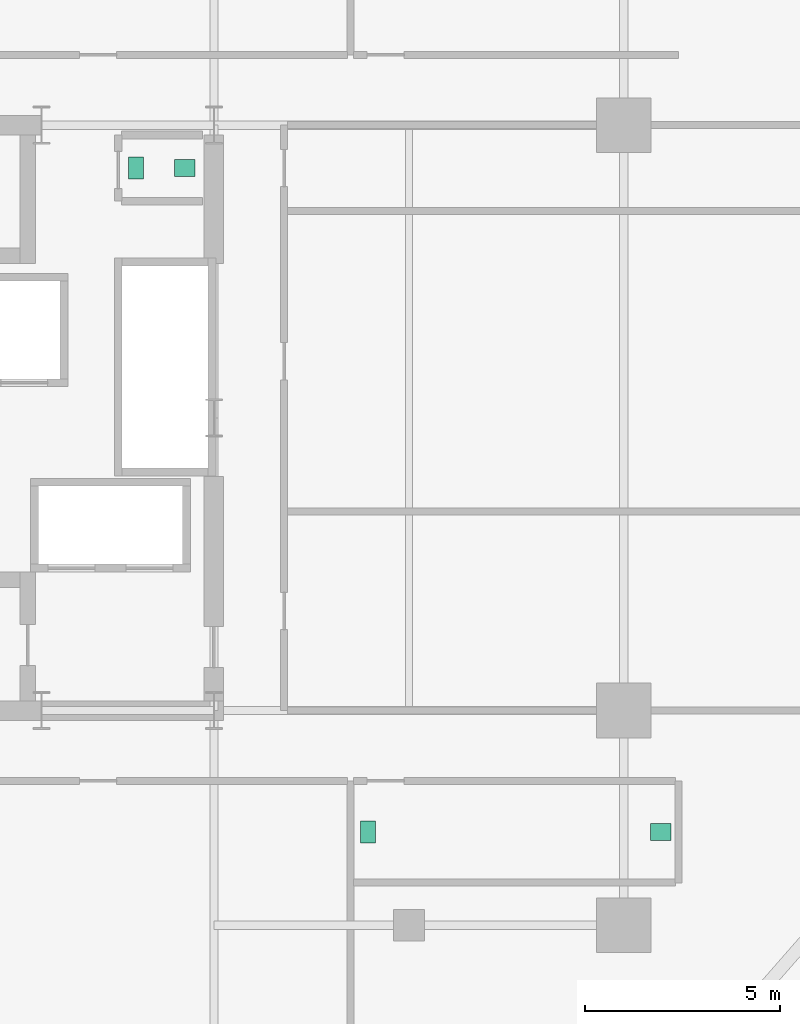
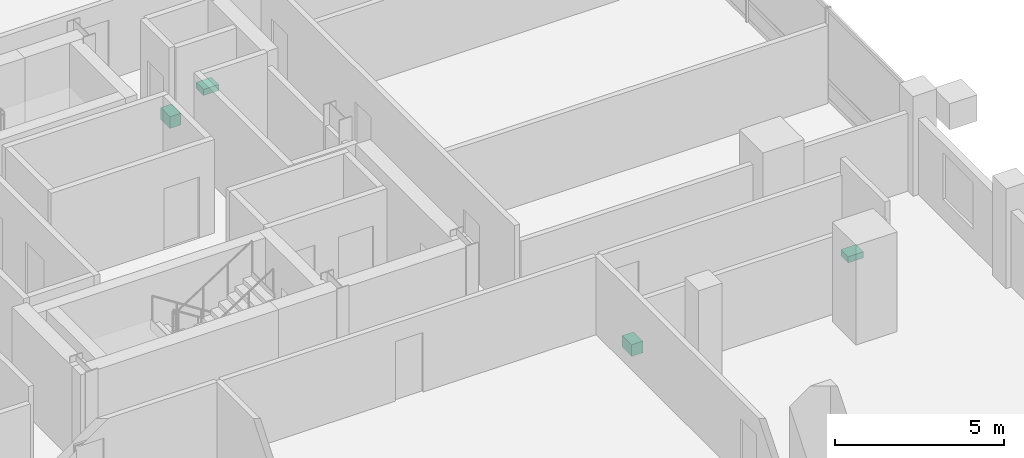
# One storey, part 21 of 21: 4 sanitary terminals.
"""IFC4 building model written with IfcOpenShell, lengths in metres."""

import ifcopenshell
import ifcopenshell.guid

model = None  # the IFC model being written
_history = None  # IfcOwnerHistory: only IFC2X3 demands one
_inside = {}  # id of a spatial element -> (the spatial element, [elements in it])
_under = {}  # id of a project, library or spatial element -> (it, [spatial elements below it])
_declared = {}  # id of a project -> (the project, [libraries it declares])
_typed = {}  # id of a type object -> (the type object, [elements of that type])
_made_of = {}  # id of a material, layer set ... -> (it, [elements and type objects made of it])


def new_model(schema):
    """Start an empty IFC model of exactly this schema.

    Asked for "IFC4X3", IfcOpenShell would pick the latest addendum, in which some entities
    have other attributes; the version numbers below select the first issue.
    IFC2X3 requires an IfcOwnerHistory on every rooted entity: one is made here for all.
    """
    global model, _history
    if schema == "IFC4X3":
        model = ifcopenshell.file(schema_version=(4, 3, 0, 0))
    else:
        model = ifcopenshell.file(schema=schema)
    _inside.clear()
    _under.clear()
    _declared.clear()
    _typed.clear()
    _made_of.clear()
    _history = None
    if model.schema == "IFC2X3":
        org = make("IfcOrganization", Name="unknown")
        user = make(
            "IfcPersonAndOrganization",
            ThePerson=make("IfcPerson", FamilyName="unknown"),
            TheOrganization=org,
        )
        app = make(
            "IfcApplication",
            ApplicationDeveloper=org,
            Version="unknown",
            ApplicationFullName="unknown",
            ApplicationIdentifier="unknown",
        )
        _history = make(
            "IfcOwnerHistory",
            OwningUser=user,
            OwningApplication=app,
            ChangeAction="ADDED",
            CreationDate=0,
        )
    return model


def make(cls, **values):
    """One entity of the class cls with the attributes given. An attribute that is None is left unset."""
    return model.create_entity(
        cls, **{name: value for name, value in values.items() if value is not None}
    )


def rooted(cls, **values):
    """An entity with a GlobalId (a new one), such as an element, a storey or a relation."""
    return make(cls, GlobalId=ifcopenshell.guid.new(), OwnerHistory=_history, **values)


def si_unit(unit_type, name, prefix=None):
    """IfcSIUnit, for example si_unit("LENGTHUNIT", "METRE", prefix="MILLI")."""
    return make("IfcSIUnit", UnitType=unit_type, Prefix=prefix, Name=name)


def assignment(units):
    """IfcUnitAssignment: the units of a project."""
    return None if units is None else make("IfcUnitAssignment", Units=units)


def point(xyz):
    """IfcCartesianPoint."""
    return None if xyz is None else make("IfcCartesianPoint", Coordinates=xyz)


def direction(xyz):
    """IfcDirection."""
    return None if xyz is None else make("IfcDirection", DirectionRatios=xyz)


def frame(location, z_axis=None, x_axis=None):
    """IfcAxis2Placement3D, a coordinate frame: its origin and axes. An axis left out is left unset."""
    return make(
        "IfcAxis2Placement3D",
        Location=point(location),
        Axis=direction(z_axis),
        RefDirection=direction(x_axis),
    )


def frame_2d(location, x_axis=None):
    """IfcAxis2Placement2D, a coordinate frame in the plane: its origin and x axis."""
    return make(
        "IfcAxis2Placement2D", Location=point(location), RefDirection=direction(x_axis)
    )


def origin():
    """The frame at (0, 0, 0) with its axes left unset."""
    return frame((0.0, 0.0, 0.0))


def origin_2d():
    """The frame at (0, 0) in the plane with its x axis left unset."""
    return frame_2d((0.0, 0.0))


def place(relative_to, where):
    """IfcLocalPlacement: puts the frame where relative to a parent placement (None: the world)."""
    return make(
        "IfcLocalPlacement", PlacementRelTo=relative_to, RelativePlacement=where
    )


def context(
    kind, dimensions, precision=None, world=None, true_north=None, identifier=None
):
    """IfcGeometricRepresentationContext, for example the 3D "Model" context."""
    return make(
        "IfcGeometricRepresentationContext",
        ContextIdentifier=identifier,
        ContextType=kind,
        CoordinateSpaceDimension=dimensions,
        Precision=precision,
        WorldCoordinateSystem=world,
        TrueNorth=true_north,
    )


def subcontext(parent, identifier, kind, view, scale=None):
    """IfcGeometricRepresentationSubContext, for example "Body" below "Model"."""
    return make(
        "IfcGeometricRepresentationSubContext",
        ContextIdentifier=identifier,
        ContextType=kind,
        ParentContext=parent,
        TargetScale=scale,
        TargetView=view,
    )


def project(units=None, contexts=None):
    """IfcProject with its units and contexts."""
    return rooted(
        "IfcProject",
        Name="project",
        RepresentationContexts=contexts,
        UnitsInContext=assignment(units),
    )


def spatial(cls, under=None, at=None, **own):
    """A site, building, storey or space (cls), placed at a placement, below another one or the project."""
    s = rooted(cls, ObjectPlacement=at, **own)
    if under is not None:
        _under.setdefault(under.id(), (under, []))[1].append(s)
    return s


def profile(cls, at=None, kind="AREA", **sizes):
    """A parametric profile (cls). Its sizes go by their IFC names, for example OverallWidth=200.0."""
    return make(cls, ProfileType=kind, Position=at, **sizes)


def rectangle(**sizes):
    """IfcRectangleProfileDef."""
    return profile("IfcRectangleProfileDef", **sizes)


def extrude(swept, where, along, depth):
    """IfcExtrudedAreaSolid: the profile swept, set in the frame where, extruded along a direction by depth."""
    return make(
        "IfcExtrudedAreaSolid",
        SweptArea=swept,
        Position=where,
        ExtrudedDirection=direction(along),
        Depth=depth,
    )


def shape(context_of_items, identifier, shape_type, items):
    """IfcShapeRepresentation: the items that make up one representation, for example the "Body"."""
    return make(
        "IfcShapeRepresentation",
        ContextOfItems=context_of_items,
        RepresentationIdentifier=identifier,
        RepresentationType=shape_type,
        Items=items,
    )


def material(Name=None, Category=None):
    """IfcMaterial."""
    return make("IfcMaterial", Name=Name, Category=Category)


def made_of(thing, what):
    """Note that an element or type object is made of a material, layer set ...; save() writes the relation."""
    if what is not None:
        _made_of.setdefault(what.id(), (what, []))[1].append(thing)
    return thing


def type_object(cls, material=None, **own):
    """A type object (cls), such as IfcWallType, which elements share."""
    return made_of(rooted(cls, **own), material)


def element(
    cls,
    number,
    at=None,
    inside=None,
    cuts=None,
    type_object=None,
    material=None,
    context=None,
    identifier="Body",
    shape_type=None,
    held_by="IfcProductDefinitionShape",
    body=None,
    shapes=None,
    **own,
):
    """One element of the class cls, such as IfcWall. Its Tag is "e" and its number.

    at: its placement. inside: the storey or other place that contains it. cuts: it is an
    opening in that element (IfcRelVoidsElement). A single representation is given by context,
    identifier, shape_type and body (its items); several are given by shapes. held_by: the class
    of the entity that holds the representations. save() writes the other relations.
    """
    e = rooted(cls, Tag="e%d" % number, ObjectPlacement=at, **own)
    if body is not None:
        shapes = [shape(context, identifier, shape_type, body)]
    if shapes is not None:
        e.Representation = make(held_by, Representations=shapes)
    if inside is not None:
        _inside.setdefault(inside.id(), (inside, []))[1].append(e)
    if cuts is not None:
        rooted(
            "IfcRelVoidsElement", RelatingBuildingElement=cuts, RelatedOpeningElement=e
        )
    if type_object is not None:
        _typed.setdefault(type_object.id(), (type_object, []))[1].append(e)
    return made_of(e, material)


def aggregate(whole, parts):
    """IfcRelAggregates: a whole, such as a stair, and the parts it consists of."""
    return rooted("IfcRelAggregates", RelatingObject=whole, RelatedObjects=parts)


def save(model, path):
    """Write the relations noted so far, then the file.

    IfcRelAggregates (storeys below a building ...), IfcRelContainedInSpatialStructure (elements
    in a storey), IfcRelDefinesByType, IfcRelAssociatesMaterial and IfcRelDeclares: one each for
    every whole, place, type object, material and project.
    """
    for whole, parts in _under.values():
        aggregate(whole, parts)
    for where, things in _inside.values():
        rooted(
            "IfcRelContainedInSpatialStructure",
            RelatedElements=things,
            RelatingStructure=where,
        )
    for kind, things in _typed.values():
        rooted("IfcRelDefinesByType", RelatedObjects=things, RelatingType=kind)
    for what, things in _made_of.values():
        rooted("IfcRelAssociatesMaterial", RelatedObjects=things, RelatingMaterial=what)
    for by, libraries in _declared.values():
        rooted("IfcRelDeclares", RelatingContext=by, RelatedDefinitions=libraries)
    model.write(path)


model = new_model("IFC4")

# Units and contexts
model_context = context("Model", 3, precision=1e-05, world=origin(), true_north=direction((0.0, 1.0)))
body_context = subcontext(model_context, "Body", "Model", "MODEL_VIEW")
ifc_project = project(units=[si_unit("LENGTHUNIT", "METRE"), si_unit("AREAUNIT", "SQUARE_METRE"), si_unit("VOLUMEUNIT", "CUBIC_METRE"), si_unit("PLANEANGLEUNIT", "RADIAN"), si_unit("MASSUNIT", "GRAM", prefix="KILO")], contexts=[model_context])

# Site, building, storey
site_placement = place(None, origin())
site = spatial("IfcSite", under=ifc_project, at=site_placement, CompositionType="ELEMENT")
building_placement = place(site_placement, origin())
building = spatial("IfcBuilding", under=site, at=building_placement, Name="Barlavira Tower and Art Museum", CompositionType="ELEMENT")
storey_placement = place(building_placement, frame((0.0, 0.0, 86.39990234375)))
storey = spatial("IfcBuildingStorey", under=building, at=storey_placement, Name="L21", CompositionType="ELEMENT", Elevation=86.39990234375)

# Sanitary terminals
ifc_material = material(Name="Vitreous glazed ceramic", Category="ceramic")
sanitary_terminal_type_1 = type_object("IfcSanitaryTerminalType", Name="Countertop Ceramic Wash Hand Basin", PredefinedType="WASHHANDBASIN", material=ifc_material)
for number, where, z_axis, x_axis, name in (
    (1, (5.75, 6.39990234375, 0.740234375), (0.0, 0.0, 1.0), (1.0, 0.0, 0.0), "L21-C-AWC4 Wash Basin"),
    (2, (17.949951171875, -10.610107421875, 0.740234375), (0.0, 0.0, 1.0), (1.0, 0.0, 0.0), "L21-S-SWC Wash Basin"),
):
    element("IfcSanitaryTerminal", number, at=place(storey_placement, frame(where, z_axis=z_axis, x_axis=x_axis)), inside=storey, type_object=sanitary_terminal_type_1, Name=name, PredefinedType="WASHHANDBASIN", context=body_context, shape_type="SweptSolid", body=[
        extrude(rectangle(XDim=0.52001953125, YDim=0.43994140625, at=origin_2d()), origin(), (0.0, 0.0, 1.0), 0.219970703125),
    ])
sanitary_terminal_type_2 = type_object("IfcSanitaryTerminalType", Name="Wall-Hung Dual-Flush Vitreous WC Pan", PredefinedType="TOILETPAN", material=ifc_material)
for number, where, z_axis, x_axis, name in (
    (3, (4.5, 6.39990234375, 0.000244140625), (0.0, 0.0, 1.0), (1.0, 0.0, 0.0), "L21-C-AWC4 WC Pan"),
    (4, (10.449951171875, -10.610107421875, 0.000244140625), (0.0, 0.0, 1.0), (1.0, 0.0, 0.0), "L21-S-SWC WC Pan"),
):
    element("IfcSanitaryTerminal", number, at=place(storey_placement, frame(where, z_axis=z_axis, x_axis=x_axis)), inside=storey, type_object=sanitary_terminal_type_2, Name=name, PredefinedType="TOILETPAN", context=body_context, shape_type="SweptSolid", body=[
        extrude(rectangle(XDim=0.3798828125, YDim=0.56005859375, at=origin_2d()), origin(), (0.0, 0.0, 1.0), 0.419921875),
    ])

save(model, "model.ifc")
